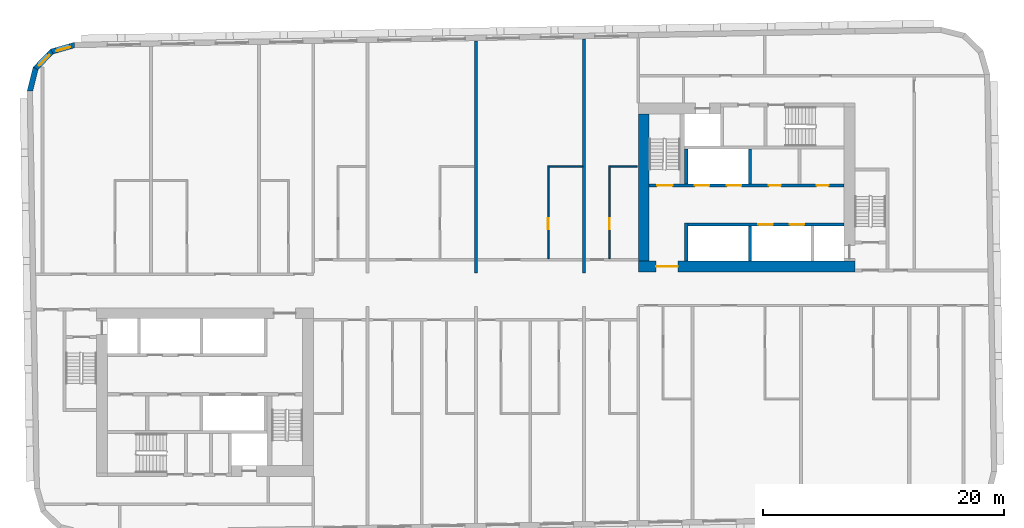
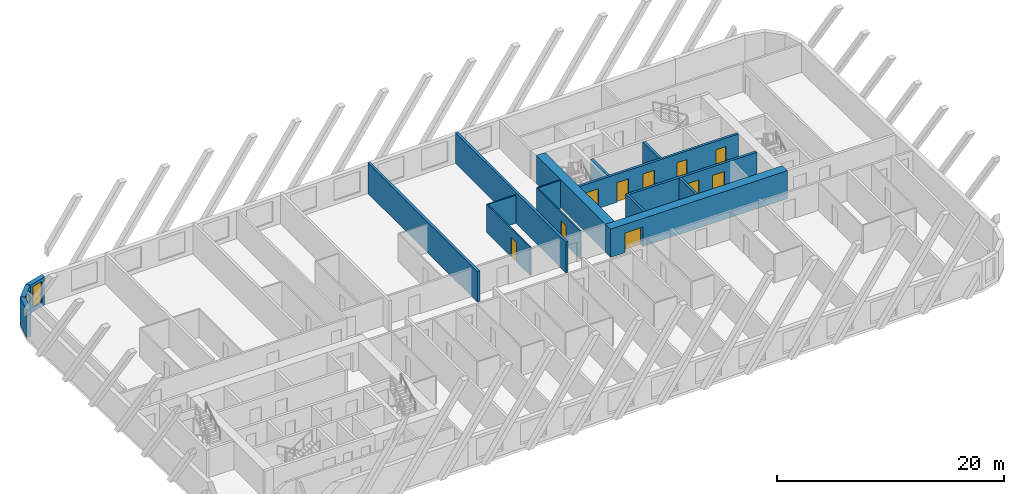
# One storey, part 5 of 12: 17 walls, 10 doors, 2 windows, 12 openings.
"""IFC4 building model written with IfcOpenShell, lengths in metres."""

from ifc_helpers import new_model, si_unit, direction, frame, frame_2d, origin, place, context, subcontext, project, spatial, polyline, rectangle, outline, extrude, material, layer, layer_set, type_object, element, fill, save


model = new_model("IFC4")

# Units and contexts
model_context = context("Model", 3, precision=1e-05, world=origin(), true_north=direction((0.0, 1.0)))
body_context = subcontext(model_context, "Body", "Model", "MODEL_VIEW")
ifc_project = project(units=[si_unit("LENGTHUNIT", "METRE"), si_unit("AREAUNIT", "SQUARE_METRE"), si_unit("VOLUMEUNIT", "CUBIC_METRE"), si_unit("PLANEANGLEUNIT", "RADIAN"), si_unit("MASSUNIT", "GRAM", prefix="KILO")], contexts=[model_context])

# Site, building, storey
site_placement = place(None, origin())
site = spatial("IfcSite", under=ifc_project, at=site_placement, CompositionType="ELEMENT")
building_placement = place(site_placement, origin())
building = spatial("IfcBuilding", under=site, at=building_placement, Name="Kajstack Hotel Tower", CompositionType="ELEMENT")
storey_placement = place(building_placement, frame((0.0, 0.0, 247.39990234375)))
storey = spatial("IfcBuildingStorey", under=building, at=storey_placement, Name="L61", CompositionType="ELEMENT", Elevation=247.39990234375)

# Wall, opening, door
ifc_material_1 = material(Name="Concrete C60/75", Category="concrete")
ifc_layer_1 = layer(ifc_material_1, 0.89990234375)
ifc_layer_set_1 = layer_set([ifc_layer_1], Name="Core wall 900")
wall_type_1 = type_object("IfcWallType", Name="Core wall 900", PredefinedType="SHEAR", material=ifc_layer_set_1)
wall_1_placement = place(storey_placement, frame((13.5, 1.949951171875, 0.0), z_axis=(0.0, 0.0, 1.0), x_axis=(1.0, 0.0, 0.0)))
wall_1 = element("IfcWall", 1, at=wall_1_placement, inside=storey, type_object=wall_type_1, Name="Core wall E RN", PredefinedType="SHEAR", context=body_context, shape_type="SweptSolid", body=[
    extrude(rectangle(XDim=18.0, YDim=0.89990234375, at=frame_2d((9.0, 0.0))), origin(), (0.0, 0.0, 1.0), 3.02001953125),
])
opening_1_placement = place(wall_1_placement, frame((1.47509765625, 0.0, 0.0)))
opening_1 = element("IfcOpeningElement", 2, at=opening_1_placement, cuts=wall_1, Name="Opening 61E07", PredefinedType="OPENING", context=body_context, shape_type="SweptSolid", body=[
    extrude(rectangle(XDim=1.800048828125, YDim=2.10009765625, at=frame_2d((0.89990234375, 1.050048828125))), frame((0.0, 0.4599609375, 0.0), z_axis=(0.0, -1.0, 0.0), x_axis=(1.0, 0.0, 0.0)), (0.0, 0.0, 1.0), 0.919921875),
])
ifc_material_2 = material(Name="Glazed steel frame, fire-rated glass", Category="steel")
door_type_1 = type_object("IfcDoorType", Name="Lobby double door 1800", OperationType="DOUBLE_DOOR_DOUBLE_SWING", PredefinedType="DOOR", material=ifc_material_2)
door_1_placement = place(opening_1_placement, origin())
door_1 = element("IfcDoor", 3, at=door_1_placement, inside=storey, type_object=door_type_1, Name="Door 61E07", OperationType="DOUBLE_DOOR_DOUBLE_SWING", OverallHeight=2.10009765625, OverallWidth=1.800048828125, PredefinedType="DOOR", context=body_context, shape_type="SweptSolid", body=[
    extrude(rectangle(XDim=1.800048828125, YDim=2.10009765625, at=frame_2d((0.89990234375, 1.050048828125))), frame((0.0, 0.02490234375, 0.0), z_axis=(0.0, -1.0, 0.0), x_axis=(1.0, 0.0, 0.0)), (0.0, 0.0, 1.0), 0.050048828125),
])
fill(opening_1, door_1)

# Wall
wall_2_placement = place(storey_placement, frame((13.949951171875, 2.39990234375, 0.0), z_axis=(0.0, 0.0, 1.0), x_axis=(0.0, 1.0, 0.0)))
element("IfcWall", 4, at=wall_2_placement, inside=storey, type_object=wall_type_1, Name="Core wall E RE", PredefinedType="SHEAR", context=body_context, shape_type="SweptSolid", body=[
    extrude(rectangle(XDim=12.2001953125, YDim=0.89990234375, at=frame_2d((6.10009765625, 0.0))), origin(), (0.0, 0.0, 1.0), 3.02001953125),
])

# Wall, opening, window
ifc_material_3 = material(Name="Terracotta-faced brick masonry", Category="masonry")
ifc_layer_2 = layer(ifc_material_3, 0.449951171875)
ifc_layer_set_2 = layer_set([ifc_layer_2], Name="EW-TERRA")
wall_type_2 = type_object("IfcWallType", Name="EW-TERRA", PredefinedType="SOLIDWALL", material=ifc_layer_set_2)
wall_3_placement = place(storey_placement, frame((-33.290283203125, 20.352294921875, 0.0), z_axis=(0.0, 0.0, 1.0), x_axis=(-0.961247584925, -0.275686562016, 0.0)))
wall_3 = element("IfcWall", 5, at=wall_3_placement, inside=storey, type_object=wall_type_2, Name="E-wall-L61-13-00", PredefinedType="SOLIDWALL", context=body_context, shape_type="SweptSolid", body=[
    extrude(outline(polyline([(0.0, -0.22509765625), (2.070556640625, -0.22509765625), (1.949951171875, 0.224853515625), (0.12060546875, 0.224853515625), (0.0, -0.22509765625)])), origin(), (0.0, 0.0, 1.0), 3.02001953125),
])
opening_2_placement = place(wall_3_placement, frame((0.435302734375, 0.0, 0.449951171875)))
opening_2 = element("IfcOpeningElement", 6, at=opening_2_placement, cuts=wall_3, Name="Opening W3", PredefinedType="OPENING", context=body_context, shape_type="SweptSolid", body=[
    extrude(rectangle(XDim=1.199951171875, YDim=2.25, at=frame_2d((0.60009765625, 1.125))), frame((0.0, 0.23486328125, 0.0), z_axis=(0.0, -1.0, 0.0), x_axis=(1.0, 0.0, 0.0)), (0.0, 0.0, 1.0), 0.469970703125),
])
ifc_material_4 = material(Name="Timber-aluminium window, triple glazed", Category="wood")
window_type = type_object("IfcWindowType", Name="WG3", PartitioningType="SINGLE_PANEL", PredefinedType="WINDOW", material=ifc_material_4)
window_1_placement = place(opening_2_placement, origin())
window_1 = element("IfcWindow", 7, at=window_1_placement, inside=storey, type_object=window_type, Name="Window W3 L61-13", OverallHeight=2.25, OverallWidth=1.199951171875, PartitioningType="SINGLE_PANEL", PredefinedType="WINDOW", context=body_context, shape_type="SweptSolid", body=[
    extrude(rectangle(XDim=1.199951171875, YDim=2.25, at=frame_2d((0.60009765625, 1.125))), frame((0.0, 0.090087890625, 0.0), z_axis=(0.0, -1.0, 0.0), x_axis=(1.0, 0.0, 0.0)), (0.0, 0.0, 1.0), 0.06005859375),
])
fill(opening_2, window_1)

wall_4_placement = place(storey_placement, frame((-35.1806640625, 19.841552734375, 0.0), z_axis=(0.0, 0.0, 1.0), x_axis=(-0.694678672846, -0.719320193998, 0.0)))
wall_4 = element("IfcWall", 8, at=wall_4_placement, inside=storey, type_object=wall_type_2, Name="E-wall-L61-14-00", PredefinedType="SOLIDWALL", context=body_context, shape_type="SweptSolid", body=[
    extrude(outline(polyline([(0.0, -0.22509765625), (2.07080078125, -0.22509765625), (1.9501953125, 0.224853515625), (0.12060546875, 0.224853515625), (0.0, -0.22509765625)])), origin(), (0.0, 0.0, 1.0), 3.02001953125),
])
opening_3_placement = place(wall_4_placement, frame((0.435302734375, 0.0, 0.449951171875)))
opening_3 = element("IfcOpeningElement", 9, at=opening_3_placement, cuts=wall_4, Name="Opening W3", PredefinedType="OPENING", context=body_context, shape_type="SweptSolid", body=[
    extrude(rectangle(XDim=1.199951171875, YDim=2.25, at=frame_2d((0.60009765625, 1.125))), frame((0.0, 0.23486328125, 0.0), z_axis=(0.0, -1.0, 0.0), x_axis=(1.0, 0.0, 0.0)), (0.0, 0.0, 1.0), 0.469970703125),
])
window_2_placement = place(opening_3_placement, origin())
window_2 = element("IfcWindow", 10, at=window_2_placement, inside=storey, type_object=window_type, Name="Window W3 L61-14", OverallHeight=2.25, OverallWidth=1.199951171875, PartitioningType="SINGLE_PANEL", PredefinedType="WINDOW", context=body_context, shape_type="SweptSolid", body=[
    extrude(rectangle(XDim=1.199951171875, YDim=2.25, at=frame_2d((0.60009765625, 1.125))), frame((0.0, 0.090087890625, 0.0), z_axis=(0.0, -1.0, 0.0), x_axis=(1.0, 0.0, 0.0)), (0.0, 0.0, 1.0), 0.06005859375),
])
fill(opening_3, window_2)

# Wall
wall_5_placement = place(storey_placement, frame((-36.562744140625, 18.453857421875, 0.0), z_axis=(0.0, 0.0, 1.0), x_axis=(-0.241869623482, -0.970308757683, 0.0)))
element("IfcWall", 11, at=wall_5_placement, inside=storey, type_object=wall_type_2, Name="E-wall-L61-15-00", PredefinedType="SOLIDWALL", context=body_context, shape_type="SweptSolid", body=[
    extrude(outline(polyline([(-0.000244140625, -0.224853515625), (2.0703125, -0.22509765625), (1.94970703125, 0.224853515625), (0.120361328125, 0.22509765625), (-0.000244140625, -0.224853515625)])), origin(), (0.0, 0.0, 1.0), 3.02001953125),
])

# Wall, opening, door
ifc_material_5 = material(Name="Gypsum board and tiled backer on steel studs", Category="steel")
ifc_layer_3 = layer(ifc_material_5, 0.125)
ifc_layer_set_3 = layer_set([ifc_layer_3], Name="En-suite wall 125")
wall_type_3 = type_object("IfcWallType", Name="En-suite wall 125", PredefinedType="PARTITIONING", material=ifc_layer_set_3)
wall_6_placement = place(storey_placement, frame((6.012939453125, 2.60009765625, 0.0), z_axis=(0.0, 0.0, 1.0), x_axis=(0.0, 1.0, 0.0)))
wall_6 = element("IfcWall", 12, at=wall_6_placement, inside=storey, type_object=wall_type_3, Name="G-wall-L61-016", PredefinedType="PARTITIONING", context=body_context, shape_type="SweptSolid", body=[
    extrude(rectangle(XDim=7.724853515625, YDim=0.125, at=frame_2d((3.8623046875, 0.0))), origin(), (0.0, 0.0, 1.0), 3.02001953125),
])
opening_4_placement = place(wall_6_placement, frame((2.449951171875, 0.0, 0.0)))
opening_4 = element("IfcOpeningElement", 13, at=opening_4_placement, cuts=wall_6, Name="Opening 61012", PredefinedType="OPENING", context=body_context, shape_type="SweptSolid", body=[
    extrude(rectangle(XDim=0.89990234375, YDim=2.10009765625, at=frame_2d((0.449951171875, 1.050048828125))), frame((0.0, 0.072509765625, 0.0), z_axis=(0.0, -1.0, 0.0), x_axis=(1.0, 0.0, 0.0)), (0.0, 0.0, 1.0), 0.14501953125),
])
ifc_material_6 = material(Name="Painted timber door leaf", Category="wood")
door_type_2 = type_object("IfcDoorType", Name="Room door 900", OperationType="SINGLE_SWING_LEFT", PredefinedType="DOOR", material=ifc_material_6)
door_2_placement = place(opening_4_placement, origin())
door_2 = element("IfcDoor", 14, at=door_2_placement, inside=storey, type_object=door_type_2, Name="G-door-L61-12", OperationType="SINGLE_SWING_RIGHT", OverallHeight=2.10009765625, OverallWidth=0.89990234375, PredefinedType="DOOR", context=body_context, shape_type="SweptSolid", body=[
    extrude(rectangle(XDim=0.89990234375, YDim=2.10009765625, at=frame_2d((0.449951171875, 1.050048828125))), frame((0.0, 0.02490234375, 0.0), z_axis=(0.0, -1.0, 0.0), x_axis=(1.0, 0.0, 0.0)), (0.0, 0.0, 1.0), 0.050048828125),
])
fill(opening_4, door_2)

# Wall
wall_7_placement = place(storey_placement, frame((6.074951171875, 10.261962890625, 0.0), z_axis=(0.0, 0.0, 1.0), x_axis=(1.0, 0.0, 0.0)))
element("IfcWall", 15, at=wall_7_placement, inside=storey, type_object=wall_type_3, Name="G-wall-L61-017", PredefinedType="PARTITIONING", context=body_context, shape_type="SweptSolid", body=[
    extrude(rectangle(XDim=2.800048828125, YDim=0.125, at=frame_2d((1.39990234375, 0.0))), origin(), (0.0, 0.0, 1.0), 3.02001953125),
])

# Wall, opening, door
wall_8_placement = place(storey_placement, frame((11.087890625, 2.60009765625, 0.0), z_axis=(0.0, 0.0, 1.0), x_axis=(0.0, 1.0, 0.0)))
wall_8 = element("IfcWall", 16, at=wall_8_placement, inside=storey, type_object=wall_type_3, Name="G-wall-L61-018", PredefinedType="PARTITIONING", context=body_context, shape_type="SweptSolid", body=[
    extrude(rectangle(XDim=7.724853515625, YDim=0.125, at=frame_2d((3.8623046875, 0.0))), origin(), (0.0, 0.0, 1.0), 3.02001953125),
])
opening_5_placement = place(wall_8_placement, frame((2.449951171875, 0.0, 0.0)))
opening_5 = element("IfcOpeningElement", 17, at=opening_5_placement, cuts=wall_8, Name="Opening 61014", PredefinedType="OPENING", context=body_context, shape_type="SweptSolid", body=[
    extrude(rectangle(XDim=0.89990234375, YDim=2.10009765625, at=frame_2d((0.449951171875, 1.050048828125))), frame((0.0, 0.072509765625, 0.0), z_axis=(0.0, -1.0, 0.0), x_axis=(1.0, 0.0, 0.0)), (0.0, 0.0, 1.0), 0.14501953125),
])
door_3_placement = place(opening_5_placement, origin())
door_3 = element("IfcDoor", 18, at=door_3_placement, inside=storey, type_object=door_type_2, Name="G-door-L61-14", OperationType="SINGLE_SWING_LEFT", OverallHeight=2.10009765625, OverallWidth=0.89990234375, PredefinedType="DOOR", context=body_context, shape_type="SweptSolid", body=[
    extrude(rectangle(XDim=0.89990234375, YDim=2.10009765625, at=frame_2d((0.449951171875, 1.050048828125))), frame((0.0, 0.02490234375, 0.0), z_axis=(0.0, -1.0, 0.0), x_axis=(1.0, 0.0, 0.0)), (0.0, 0.0, 1.0), 0.050048828125),
])
fill(opening_5, door_3)

# Walls
wall_9_placement = place(storey_placement, frame((11.14990234375, 10.261962890625, 0.0), z_axis=(0.0, 0.0, 1.0), x_axis=(1.0, 0.0, 0.0)))
element("IfcWall", 19, at=wall_9_placement, inside=storey, type_object=wall_type_3, Name="G-wall-L61-019", PredefinedType="PARTITIONING", context=body_context, shape_type="SweptSolid", body=[
    extrude(rectangle(XDim=2.25, YDim=0.125, at=frame_2d((1.125, 0.0))), origin(), (0.0, 0.0, 1.0), 3.02001953125),
])
ifc_material_7 = material(Name="Concrete C50/60", Category="concrete")
ifc_layer_4 = layer(ifc_material_7, 0.300048828125)
ifc_layer_set_4 = layer_set([ifc_layer_4], Name="Hoistway divider wall 300")
wall_type_4 = type_object("IfcWallType", Name="Hoistway divider wall 300", PredefinedType="SHEAR", material=ifc_layer_set_4)
wall_10_placement = place(storey_placement, frame((22.77490234375, 2.39990234375, 0.0), z_axis=(0.0, 0.0, 1.0), x_axis=(0.0, 1.0, 0.0)))
element("IfcWall", 20, at=wall_10_placement, inside=storey, type_object=wall_type_4, Name="Core wall E AP2", PredefinedType="SHEAR", context=body_context, shape_type="SweptSolid", body=[
    extrude(rectangle(XDim=2.900146484375, YDim=0.25, at=frame_2d((1.4501953125, 0.0))), origin(), (0.0, 0.0, 1.0), 3.02001953125),
])
wall_11_placement = place(storey_placement, frame((22.77490234375, 8.800048828125, 0.0), z_axis=(0.0, 0.0, 1.0), x_axis=(0.0, 1.0, 0.0)))
element("IfcWall", 21, at=wall_11_placement, inside=storey, type_object=wall_type_4, Name="Core wall E BP2", PredefinedType="SHEAR", context=body_context, shape_type="SweptSolid", body=[
    extrude(rectangle(XDim=2.89990234375, YDim=0.25, at=frame_2d((1.449951171875, 0.0))), origin(), (0.0, 0.0, 1.0), 3.02001953125),
])
ifc_material_8 = material(Name="Concrete C45/55", Category="concrete")
ifc_layer_5 = layer(ifc_material_8, 0.25)
ifc_layer_set_5 = layer_set([ifc_layer_5], Name="RC cross wall 250 C45/55")
wall_type_5 = type_object("IfcWallType", Name="RC cross wall 250 C45/55", PredefinedType="SHEAR", material=ifc_layer_set_5)
wall_12_placement = place(storey_placement, frame((0.0, 1.39990234375, 0.0), z_axis=(0.0, 0.0, 1.0), x_axis=(0.0, 1.0, 0.0)))
element("IfcWall", 22, at=wall_12_placement, inside=storey, type_object=wall_type_5, Name="S-wall-L61-07", PredefinedType="SHEAR", context=body_context, shape_type="SweptSolid", body=[
    extrude(rectangle(XDim=19.28857421875, YDim=0.25, at=frame_2d((9.644287109375, 0.0))), origin(), (0.0, 0.0, 1.0), 3.300048828125),
])
wall_13_placement = place(storey_placement, frame((9.0, 1.39990234375, 0.0), z_axis=(0.0, 0.0, 1.0), x_axis=(0.0, 1.0, 0.0)))
element("IfcWall", 23, at=wall_13_placement, inside=storey, type_object=wall_type_5, Name="S-wall-L61-09", PredefinedType="SHEAR", context=body_context, shape_type="SweptSolid", body=[
    extrude(rectangle(XDim=19.44580078125, YDim=0.25, at=frame_2d((9.722900390625, 0.0))), origin(), (0.0, 0.0, 1.0), 3.300048828125),
])

# Wall, openings, doors
ifc_layer_6 = layer(ifc_material_7, 0.25)
ifc_layer_set_6 = layer_set([ifc_layer_6], Name="Shaft wall 250")
wall_type_6 = type_object("IfcWallType", Name="Shaft wall 250", PredefinedType="SHEAR", material=ifc_layer_set_6)
wall_14_placement = place(storey_placement, frame((17.60009765625, 5.425048828125, 0.0), z_axis=(0.0, 0.0, 1.0), x_axis=(1.0, 0.0, 0.0)))
wall_14 = element("IfcWall", 24, at=wall_14_placement, inside=storey, type_object=wall_type_6, Name="Core wall E FA", PredefinedType="SHEAR", context=body_context, shape_type="SweptSolid", body=[
    extrude(rectangle(XDim=13.0, YDim=0.25, at=frame_2d((6.5, 0.0))), origin(), (0.0, 0.0, 1.0), 3.02001953125),
])
opening_6_placement = place(wall_14_placement, frame((8.47509765625, 0.0, 0.0)))
opening_6 = element("IfcOpeningElement", 25, at=opening_6_placement, cuts=wall_14, Name="Opening LD-MR7", PredefinedType="OPENING", context=body_context, shape_type="SweptSolid", body=[
    extrude(rectangle(XDim=1.199951171875, YDim=2.10009765625, at=frame_2d((0.60009765625, 1.050048828125))), frame((0.0, 0.135009765625, 0.0), z_axis=(0.0, -1.0, 0.0), x_axis=(1.0, 0.0, 0.0)), (0.0, 0.0, 1.0), 0.27001953125),
])
opening_7_placement = place(wall_14_placement, frame((5.875, 0.0, 0.0)))
opening_7 = element("IfcOpeningElement", 26, at=opening_7_placement, cuts=wall_14, Name="Opening LD-MR8", PredefinedType="OPENING", context=body_context, shape_type="SweptSolid", body=[
    extrude(rectangle(XDim=1.199951171875, YDim=2.10009765625, at=frame_2d((0.60009765625, 1.050048828125))), frame((0.0, 0.135009765625, 0.0), z_axis=(0.0, -1.0, 0.0), x_axis=(1.0, 0.0, 0.0)), (0.0, 0.0, 1.0), 0.27001953125),
])
ifc_material_9 = material(Name="Stainless steel", Category="steel")
door_type_3 = type_object("IfcDoorType", Name="Lift landing door 1200", OperationType="SLIDING_TO_LEFT", PredefinedType="DOOR", material=ifc_material_9)
door_4_placement = place(opening_6_placement, origin())
door_4 = element("IfcDoor", 27, at=door_4_placement, inside=storey, type_object=door_type_3, Name="Landing door MR7", OperationType="SLIDING_TO_LEFT", OverallHeight=2.10009765625, OverallWidth=1.199951171875, PredefinedType="DOOR", context=body_context, shape_type="SweptSolid", body=[
    extrude(rectangle(XDim=1.199951171875, YDim=2.10009765625, at=frame_2d((0.60009765625, 1.050048828125))), frame((0.0, 0.02490234375, 0.0), z_axis=(0.0, -1.0, 0.0), x_axis=(1.0, 0.0, 0.0)), (0.0, 0.0, 1.0), 0.050048828125),
])
fill(opening_6, door_4)
door_5_placement = place(opening_7_placement, origin())
door_5 = element("IfcDoor", 28, at=door_5_placement, inside=storey, type_object=door_type_3, Name="Landing door MR8", OperationType="SLIDING_TO_RIGHT", OverallHeight=2.10009765625, OverallWidth=1.199951171875, PredefinedType="DOOR", context=body_context, shape_type="SweptSolid", body=[
    extrude(rectangle(XDim=1.199951171875, YDim=2.10009765625, at=frame_2d((0.60009765625, 1.050048828125))), frame((0.0, 0.02490234375, 0.0), z_axis=(0.0, -1.0, 0.0), x_axis=(1.0, 0.0, 0.0)), (0.0, 0.0, 1.0), 0.050048828125),
])
fill(opening_7, door_5)

# Wall
wall_15_placement = place(storey_placement, frame((17.47509765625, 2.39990234375, 0.0), z_axis=(0.0, 0.0, 1.0), x_axis=(0.0, 1.0, 0.0)))
element("IfcWall", 29, at=wall_15_placement, inside=storey, type_object=wall_type_6, Name="Core wall E AE", PredefinedType="SHEAR", context=body_context, shape_type="SweptSolid", body=[
    extrude(rectangle(XDim=3.150146484375, YDim=0.25, at=frame_2d((1.5751953125, 0.0))), origin(), (0.0, 0.0, 1.0), 3.02001953125),
])

# Wall, openings, doors
wall_16_placement = place(storey_placement, frame((14.39990234375, 8.675048828125, 0.0), z_axis=(0.0, 0.0, 1.0), x_axis=(1.0, 0.0, 0.0)))
wall_16 = element("IfcWall", 30, at=wall_16_placement, inside=storey, type_object=wall_type_6, Name="Core wall E FB", PredefinedType="SHEAR", context=body_context, shape_type="SweptSolid", body=[
    extrude(rectangle(XDim=16.2001953125, YDim=0.25, at=frame_2d((8.10009765625, 0.0))), origin(), (0.0, 0.0, 1.0), 3.02001953125),
])
opening_8_placement = place(wall_16_placement, frame((6.449951171875, 0.0, 0.0)))
opening_8 = element("IfcOpeningElement", 31, at=opening_8_placement, cuts=wall_16, Name="Opening LD-MR5", PredefinedType="OPENING", context=body_context, shape_type="SweptSolid", body=[
    extrude(rectangle(XDim=1.199951171875, YDim=2.10009765625, at=frame_2d((0.60009765625, 1.050048828125))), frame((0.0, 0.135009765625, 0.0), z_axis=(0.0, -1.0, 0.0), x_axis=(1.0, 0.0, 0.0)), (0.0, 0.0, 1.0), 0.27001953125),
])
opening_9_placement = place(wall_16_placement, frame((3.800048828125, 0.0, 0.0)))
opening_9 = element("IfcOpeningElement", 32, at=opening_9_placement, cuts=wall_16, Name="Opening LD-MR6", PredefinedType="OPENING", context=body_context, shape_type="SweptSolid", body=[
    extrude(rectangle(XDim=1.199951171875, YDim=2.10009765625, at=frame_2d((0.60009765625, 1.050048828125))), frame((0.0, 0.135009765625, 0.0), z_axis=(0.0, -1.0, 0.0), x_axis=(1.0, 0.0, 0.0)), (0.0, 0.0, 1.0), 0.27001953125),
])
opening_10_placement = place(wall_16_placement, frame((0.64990234375, 0.0, 0.0)))
opening_10 = element("IfcOpeningElement", 33, at=opening_10_placement, cuts=wall_16, Name="Opening 61E11", PredefinedType="OPENING", context=body_context, shape_type="SweptSolid", body=[
    extrude(rectangle(XDim=1.300048828125, YDim=2.10009765625, at=frame_2d((0.64990234375, 1.050048828125))), frame((0.0, 0.135009765625, 0.0), z_axis=(0.0, -1.0, 0.0), x_axis=(1.0, 0.0, 0.0)), (0.0, 0.0, 1.0), 0.27001953125),
])
opening_11_placement = place(wall_16_placement, frame((13.91259765625, 0.0, 0.0)))
opening_11 = element("IfcOpeningElement", 34, at=opening_11_placement, cuts=wall_16, Name="Opening 61E14", PredefinedType="OPENING", context=body_context, shape_type="SweptSolid", body=[
    extrude(rectangle(XDim=1.0, YDim=2.10009765625, at=frame_2d((0.5, 1.050048828125))), frame((0.0, 0.135009765625, 0.0), z_axis=(0.0, -1.0, 0.0), x_axis=(1.0, 0.0, 0.0)), (0.0, 0.0, 1.0), 0.27001953125),
])
opening_12_placement = place(wall_16_placement, frame((9.9375, 0.0, 0.0)))
opening_12 = element("IfcOpeningElement", 35, at=opening_12_placement, cuts=wall_16, Name="Opening 61E15", PredefinedType="OPENING", context=body_context, shape_type="SweptSolid", body=[
    extrude(rectangle(XDim=1.0, YDim=2.10009765625, at=frame_2d((0.5, 1.050048828125))), frame((0.0, 0.135009765625, 0.0), z_axis=(0.0, -1.0, 0.0), x_axis=(1.0, 0.0, 0.0)), (0.0, 0.0, 1.0), 0.27001953125),
])
door_6_placement = place(opening_8_placement, origin())
door_6 = element("IfcDoor", 36, at=door_6_placement, inside=storey, type_object=door_type_3, Name="Landing door MR5", OperationType="SLIDING_TO_LEFT", OverallHeight=2.10009765625, OverallWidth=1.199951171875, PredefinedType="DOOR", context=body_context, shape_type="SweptSolid", body=[
    extrude(rectangle(XDim=1.199951171875, YDim=2.10009765625, at=frame_2d((0.60009765625, 1.050048828125))), frame((0.0, 0.02490234375, 0.0), z_axis=(0.0, -1.0, 0.0), x_axis=(1.0, 0.0, 0.0)), (0.0, 0.0, 1.0), 0.050048828125),
])
fill(opening_8, door_6)
door_7_placement = place(opening_9_placement, origin())
door_7 = element("IfcDoor", 37, at=door_7_placement, inside=storey, type_object=door_type_3, Name="Landing door MR6", OperationType="SLIDING_TO_RIGHT", OverallHeight=2.10009765625, OverallWidth=1.199951171875, PredefinedType="DOOR", context=body_context, shape_type="SweptSolid", body=[
    extrude(rectangle(XDim=1.199951171875, YDim=2.10009765625, at=frame_2d((0.60009765625, 1.050048828125))), frame((0.0, 0.02490234375, 0.0), z_axis=(0.0, -1.0, 0.0), x_axis=(1.0, 0.0, 0.0)), (0.0, 0.0, 1.0), 0.050048828125),
])
fill(opening_9, door_7)
ifc_material_10 = material(Name="Timber leaf, fire-rated", Category="wood")
door_type_4 = type_object("IfcDoorType", Name="Service room door 1000", OperationType="SINGLE_SWING_LEFT", PredefinedType="DOOR", material=ifc_material_10)
door_8_placement = place(opening_11_placement, origin())
door_8 = element("IfcDoor", 38, at=door_8_placement, inside=storey, type_object=door_type_4, Name="Door 61E14", OperationType="SINGLE_SWING_LEFT", OverallHeight=2.10009765625, OverallWidth=1.0, PredefinedType="DOOR", context=body_context, shape_type="SweptSolid", body=[
    extrude(rectangle(XDim=1.0, YDim=2.10009765625, at=frame_2d((0.5, 1.050048828125))), frame((0.0, 0.02490234375, 0.0), z_axis=(0.0, -1.0, 0.0), x_axis=(1.0, 0.0, 0.0)), (0.0, 0.0, 1.0), 0.050048828125),
])
fill(opening_11, door_8)
door_9_placement = place(opening_12_placement, origin())
door_9 = element("IfcDoor", 39, at=door_9_placement, inside=storey, type_object=door_type_4, Name="Door 61E15", OperationType="SINGLE_SWING_LEFT", OverallHeight=2.10009765625, OverallWidth=1.0, PredefinedType="DOOR", context=body_context, shape_type="SweptSolid", body=[
    extrude(rectangle(XDim=1.0, YDim=2.10009765625, at=frame_2d((0.5, 1.050048828125))), frame((0.0, 0.02490234375, 0.0), z_axis=(0.0, -1.0, 0.0), x_axis=(1.0, 0.0, 0.0)), (0.0, 0.0, 1.0), 0.050048828125),
])
fill(opening_12, door_9)
ifc_material_11 = material(Name="Steel leaf, fire-rated", Category="steel")
door_type_5 = type_object("IfcDoorType", Name="Stair door 1300", OperationType="SINGLE_SWING_LEFT", PredefinedType="DOOR", material=ifc_material_11)
door_10_placement = place(opening_10_placement, origin())
door_10 = element("IfcDoor", 40, at=door_10_placement, inside=storey, type_object=door_type_5, Name="Door 61E11", OperationType="SINGLE_SWING_LEFT", OverallHeight=2.10009765625, OverallWidth=1.300048828125, PredefinedType="DOOR", context=body_context, shape_type="SweptSolid", body=[
    extrude(rectangle(XDim=1.300048828125, YDim=2.10009765625, at=frame_2d((0.64990234375, 1.050048828125))), frame((0.0, 0.02490234375, 0.0), z_axis=(0.0, -1.0, 0.0), x_axis=(1.0, 0.0, 0.0)), (0.0, 0.0, 1.0), 0.050048828125),
])
fill(opening_10, door_10)

# Wall
wall_17_placement = place(storey_placement, frame((17.47509765625, 8.800048828125, 0.0), z_axis=(0.0, 0.0, 1.0), x_axis=(0.0, 1.0, 0.0)))
element("IfcWall", 41, at=wall_17_placement, inside=storey, type_object=wall_type_6, Name="Core wall E BE", PredefinedType="SHEAR", context=body_context, shape_type="SweptSolid", body=[
    extrude(rectangle(XDim=2.89990234375, YDim=0.25, at=frame_2d((1.449951171875, 0.0))), origin(), (0.0, 0.0, 1.0), 3.02001953125),
])

save(model, "model.ifc")
